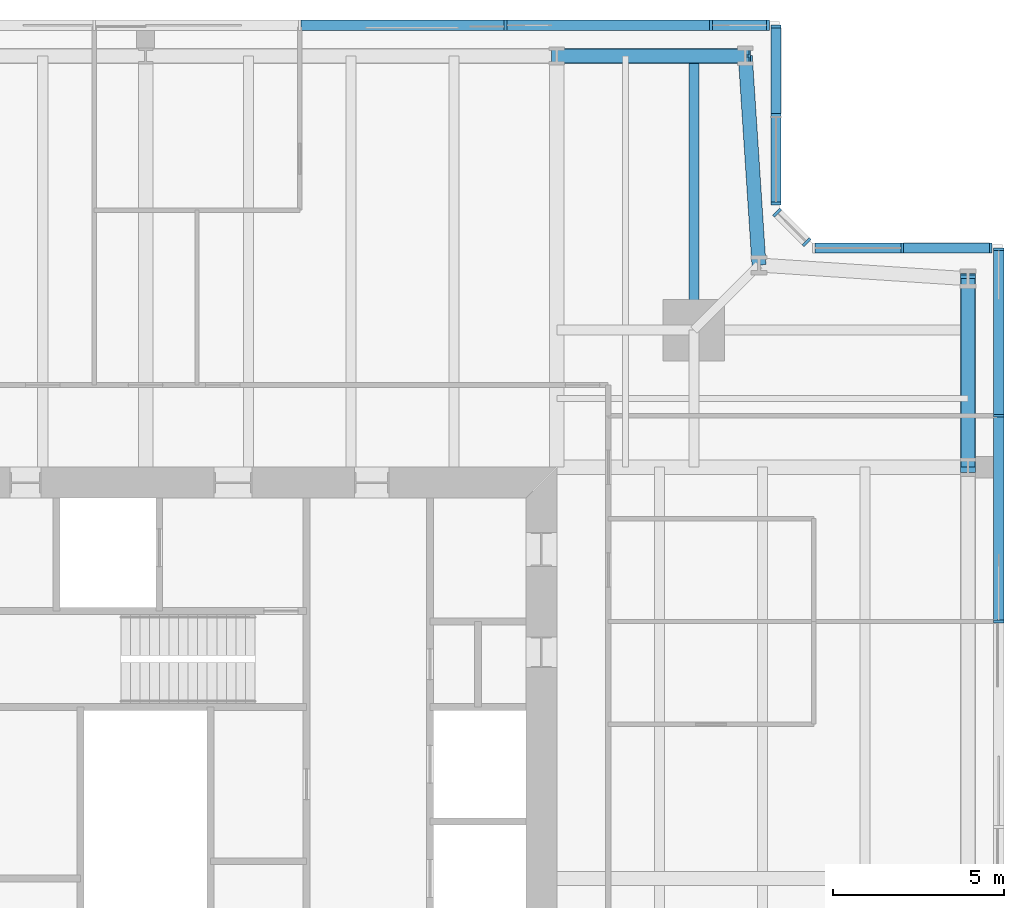
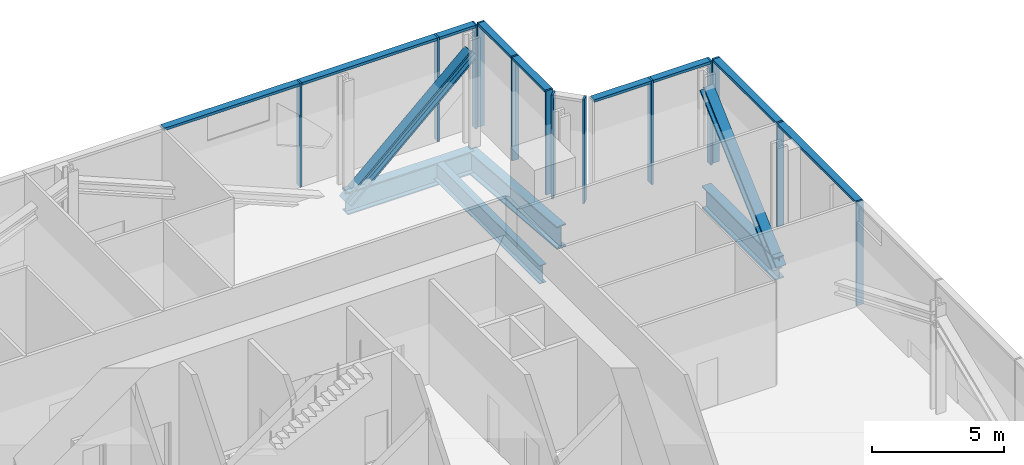
# One storey, part 5 of 15: 24 members, 4 beams, 5 elements without a shape of their own.
"""IFC4 building model written with IfcOpenShell, lengths in metres."""

from ifc_helpers import new_model, si_unit, direction, frame, origin, origin_2d, place, context, subcontext, project, spatial, rectangle, i_section, extrude, material, material_profile, profile_set, type_object, element, aggregate, save


model = new_model("IFC4")

# Units and contexts
model_context = context("Model", 3, precision=1e-05, world=origin(), true_north=direction((0.0, 1.0)))
body_context = subcontext(model_context, "Body", "Model", "MODEL_VIEW")
ifc_project = project(units=[si_unit("LENGTHUNIT", "METRE"), si_unit("AREAUNIT", "SQUARE_METRE"), si_unit("VOLUMEUNIT", "CUBIC_METRE"), si_unit("PLANEANGLEUNIT", "RADIAN"), si_unit("MASSUNIT", "GRAM", prefix="KILO")], contexts=[model_context])

# Site, building, storey
site_placement = place(None, origin())
site = spatial("IfcSite", under=ifc_project, at=site_placement, CompositionType="ELEMENT")
building_placement = place(site_placement, origin())
building = spatial("IfcBuilding", under=site, at=building_placement, Name="Fenwick Lantern Interchange", CompositionType="ELEMENT")
storey_placement = place(building_placement, frame((0.0, 0.0, 296.800048828125)))
storey = spatial("IfcBuildingStorey", under=building, at=storey_placement, Name="L72", CompositionType="ELEMENT", Elevation=296.800048828125)

# Beams
ifc_material_1 = material(Name="Steel ASTM A992 Grade 50", Category="steel")
ifc_material_profile_1 = material_profile(ifc_material_1, i_section(OverallWidth=0.408935546875, OverallDepth=1.04150390625, WebThickness=0.031005859375, FlangeThickness=0.055908203125, at=origin_2d()), Name="W40X397")
ifc_profile_set_1 = profile_set([ifc_material_profile_1], Name="Steel ASTM A992 Grade 50")
beam_type_1 = type_object("IfcBeamType", Name="EDGE BEAM W40X397", PredefinedType="SPANDREL", material=ifc_profile_set_1)
beam_1_placement = place(storey_placement, frame((49.0, 37.0, -0.720703125), z_axis=(0.0, 1.0, 0.0), x_axis=(-1.0, 0.0, 0.0)))
element("IfcBeam", 1, at=beam_1_placement, inside=storey, type_object=beam_type_1, Name="L72/FR/E/EB4", PredefinedType="SPANDREL", context=body_context, shape_type="SweptSolid", body=[
    extrude(i_section(OverallWidth=0.408935546875, OverallDepth=1.04150390625, WebThickness=0.031005859375, FlangeThickness=0.055908203125, at=origin_2d()), origin(), (0.0, 0.0, 1.0), 5.5),
])
beam_2_placement = place(storey_placement, frame((42.89990234375, 42.89990234375, -0.720703125), z_axis=(-0.065416293237, 0.997858060337, 0.0), x_axis=(-0.997858060337, -0.065416293237, 0.0)))
element("IfcBeam", 2, at=beam_2_placement, inside=storey, type_object=beam_type_1, Name="L72/FR/E/EBR2", PredefinedType="SPANDREL", context=body_context, shape_type="SweptSolid", body=[
    extrude(i_section(OverallWidth=0.408935546875, OverallDepth=1.04150390625, WebThickness=0.031005859375, FlangeThickness=0.055908203125, at=origin_2d()), origin(), (0.0, 0.0, 1.0), 6.11328125),
])
beam_3_placement = place(storey_placement, frame((42.5, 49.0, -0.720703125), z_axis=(-1.0, 0.0, 0.0), x_axis=(0.0, -1.0, 0.0)))
element("IfcBeam", 3, at=beam_3_placement, inside=storey, type_object=beam_type_1, Name="L72/FR/N/EB1", PredefinedType="SPANDREL", context=body_context, shape_type="SweptSolid", body=[
    extrude(i_section(OverallWidth=0.408935546875, OverallDepth=1.04150390625, WebThickness=0.031005859375, FlangeThickness=0.055908203125, at=origin_2d()), origin(), (0.0, 0.0, 1.0), 5.5),
])

# Members
ifc_material_profile_2 = material_profile(ifc_material_1, i_section(OverallWidth=0.424072265625, OverallDepth=0.47509765625, WebThickness=0.0478515625, FlangeThickness=0.0771484375, at=origin_2d()), Name="W14X426")
ifc_profile_set_2 = profile_set([ifc_material_profile_2], Name="Steel ASTM A992 Grade 50")
member_type_1 = type_object("IfcMemberType", Name="FACADE BRACE W14X426", PredefinedType="BRACE", material=ifc_profile_set_2)
for number, where, z_axis, x_axis, name in (
    (4, (49.0, 37.0, -0.720703125), (0.0, 0.739940073396, 0.672672793996), (-1.0, 0.0, 0.0), "L72/FB/E/BE"),
    (5, (37.0, 49.0, -0.720703125), (0.739940073396, 0.0, 0.672672793996), (0.0, 1.0, 0.0), "L72/FB/N/AE"),
):
    element("IfcMember", number, at=place(storey_placement, frame(where, z_axis=z_axis, x_axis=x_axis)), inside=storey, type_object=member_type_1, Name=name, PredefinedType="BRACE", context=body_context, shape_type="SweptSolid", body=[
        extrude(i_section(OverallWidth=0.424072265625, OverallDepth=0.47509765625, WebThickness=0.0478515625, FlangeThickness=0.0771484375, at=origin_2d()), origin(), (0.0, 0.0, 1.0), 7.43310546875),
    ])

# Beam
ifc_material_profile_3 = material_profile(ifc_material_1, i_section(OverallWidth=0.2919921875, OverallDepth=0.845703125, WebThickness=0.015380859375, FlangeThickness=0.0244140625, at=origin_2d()), Name="W33X141")
ifc_profile_set_3 = profile_set([ifc_material_profile_3], Name="Steel ASTM A992 Grade 50")
beam_type_2 = type_object("IfcBeamType", Name="MEGA COLUMN BEAM W33X141", PredefinedType="BEAM", material=ifc_profile_set_3)
beam_4_placement = place(storey_placement, frame((41.0, 41.0, -0.623046875), z_axis=(0.0, 1.0, 0.0), x_axis=(-1.0, 0.0, 0.0)))
element("IfcBeam", 6, at=beam_4_placement, inside=storey, type_object=beam_type_2, Name="L72/FR/N/MB1", PredefinedType="BEAM", context=body_context, shape_type="SweptSolid", body=[
    extrude(i_section(OverallWidth=0.2919921875, OverallDepth=0.845703125, WebThickness=0.015380859375, FlangeThickness=0.0244140625, at=origin_2d()), origin(), (0.0, 0.0, 1.0), 8.0),
])

# Curtain wall, members
ifc_material_2 = material(Name="Aluminium curtain wall frame", Category="aluminium")
curtain_wall_type = type_object("IfcCurtainWallType", Name="SKY LOBBY GLAZING", PredefinedType="USERDEFINED", material=ifc_material_2)
curtain_wall_1_placement = place(storey_placement, origin())
curtain_wall_1 = element("IfcCurtainWall", 7, at=curtain_wall_1_placement, inside=storey, type_object=curtain_wall_type, Name="Sky lobby glazing 05", ObjectType="SKY LOBBY GLAZING", PredefinedType="USERDEFINED")
ifc_material_3 = material(Name="Aluminium extrusion", Category="aluminium")
ifc_material_profile_4 = material_profile(ifc_material_3, rectangle(XDim=0.300048828125, YDim=0.080078125, at=origin_2d()), Name="SKY LOBBY GLAZING MULLION 80 X 300")
ifc_profile_set_4 = profile_set([ifc_material_profile_4], Name="Aluminium extrusion")
member_type_2 = type_object("IfcMemberType", Name="SKY LOBBY GLAZING MULLION 80 X 300", PredefinedType="MULLION", material=ifc_profile_set_4)
member_1_placement = place(storey_placement, frame((49.89990234375, 32.5, 0.0), z_axis=(0.0, 0.0, 1.0), x_axis=(-1.0, 0.0, 0.0)))
member_1 = element("IfcMember", 8, at=member_1_placement, type_object=member_type_2, Name="L72/CW/05/M05", PredefinedType="MULLION", context=body_context, shape_type="SweptSolid", body=[
    extrude(rectangle(XDim=0.300048828125, YDim=0.080078125, at=origin_2d()), origin(), (0.0, 0.0, 1.0), 4.800048828125),
])
member_2_placement = place(storey_placement, frame((49.89990234375, 38.5, 0.0), z_axis=(0.0, 0.0, 1.0), x_axis=(-1.0, 0.0, 0.0)))
member_2 = element("IfcMember", 9, at=member_2_placement, type_object=member_type_2, Name="L72/CW/05/M06", PredefinedType="MULLION", context=body_context, shape_type="SweptSolid", body=[
    extrude(rectangle(XDim=0.300048828125, YDim=0.080078125, at=origin_2d()), origin(), (0.0, 0.0, 1.0), 4.800048828125),
])
member_3_placement = place(storey_placement, frame((49.89990234375, 43.360107421875, 0.0), z_axis=(0.0, 0.0, 1.0), x_axis=(-1.0, 0.0, 0.0)))
member_3 = element("IfcMember", 10, at=member_3_placement, type_object=member_type_2, Name="L72/CW/05/M07", PredefinedType="MULLION", context=body_context, shape_type="SweptSolid", body=[
    extrude(rectangle(XDim=0.300048828125, YDim=0.080078125, at=origin_2d()), origin(), (0.0, 0.0, 1.0), 4.800048828125),
])

curtain_wall_2_placement = place(storey_placement, origin())
curtain_wall_2 = element("IfcCurtainWall", 11, at=curtain_wall_2_placement, inside=storey, type_object=curtain_wall_type, Name="Sky lobby glazing 06", ObjectType="SKY LOBBY GLAZING", PredefinedType="USERDEFINED")
member_4_placement = place(storey_placement, frame((49.659912109375, 43.39990234375, 0.0), z_axis=(0.0, 0.0, 1.0), x_axis=(0.0, -1.0, 0.0)))
member_4 = element("IfcMember", 12, at=member_4_placement, type_object=member_type_2, Name="L72/CW/06/M00", PredefinedType="MULLION", context=body_context, shape_type="SweptSolid", body=[
    extrude(rectangle(XDim=0.300048828125, YDim=0.080078125, at=origin_2d()), origin(), (0.0, 0.0, 1.0), 4.800048828125),
])
member_5_placement = place(storey_placement, frame((47.079345703125, 43.39990234375, 0.0), z_axis=(0.0, 0.0, 1.0), x_axis=(0.0, -1.0, 0.0)))
member_5 = element("IfcMember", 13, at=member_5_placement, type_object=member_type_2, Name="L72/CW/06/M01", PredefinedType="MULLION", context=body_context, shape_type="SweptSolid", body=[
    extrude(rectangle(XDim=0.300048828125, YDim=0.080078125, at=origin_2d()), origin(), (0.0, 0.0, 1.0), 4.800048828125),
])

curtain_wall_3_placement = place(storey_placement, origin())
curtain_wall_3 = element("IfcCurtainWall", 14, at=curtain_wall_3_placement, inside=storey, type_object=curtain_wall_type, Name="Sky lobby glazing 07", ObjectType="SKY LOBBY GLAZING", PredefinedType="USERDEFINED")
member_6_placement = place(storey_placement, frame((44.288818359375, 43.56982421875, 0.0), z_axis=(0.0, 0.0, 1.0), x_axis=(-0.707106781187, -0.707106781187, 0.0)))
member_6 = element("IfcMember", 15, at=member_6_placement, type_object=member_type_2, Name="L72/CW/07/M00", PredefinedType="MULLION", context=body_context, shape_type="SweptSolid", body=[
    extrude(rectangle(XDim=0.300048828125, YDim=0.080078125, at=origin_2d()), origin(), (0.0, 0.0, 1.0), 4.800048828125),
])
member_7_placement = place(storey_placement, frame((43.42822265625, 44.43017578125, 0.0), z_axis=(0.0, 0.0, 1.0), x_axis=(-0.707106781187, -0.707106781187, 0.0)))
member_7 = element("IfcMember", 16, at=member_7_placement, type_object=member_type_2, Name="L72/CW/07/M01", PredefinedType="MULLION", context=body_context, shape_type="SweptSolid", body=[
    extrude(rectangle(XDim=0.300048828125, YDim=0.080078125, at=origin_2d()), origin(), (0.0, 0.0, 1.0), 4.800048828125),
])
aggregate(curtain_wall_3, [member_6, member_7])

curtain_wall_4_placement = place(storey_placement, origin())
curtain_wall_4 = element("IfcCurtainWall", 17, at=curtain_wall_4_placement, inside=storey, type_object=curtain_wall_type, Name="Sky lobby glazing 08", ObjectType="SKY LOBBY GLAZING", PredefinedType="USERDEFINED")
member_8_placement = place(storey_placement, frame((43.39990234375, 44.698486328125, 0.0), z_axis=(0.0, 0.0, 1.0), x_axis=(-1.0, 0.0, 0.0)))
member_8 = element("IfcMember", 18, at=member_8_placement, type_object=member_type_2, Name="L72/CW/08/M00", PredefinedType="MULLION", context=body_context, shape_type="SweptSolid", body=[
    extrude(rectangle(XDim=0.300048828125, YDim=0.080078125, at=origin_2d()), origin(), (0.0, 0.0, 1.0), 4.800048828125),
])
member_9_placement = place(storey_placement, frame((43.39990234375, 47.279296875, 0.0), z_axis=(0.0, 0.0, 1.0), x_axis=(-1.0, 0.0, 0.0)))
member_9 = element("IfcMember", 19, at=member_9_placement, type_object=member_type_2, Name="L72/CW/08/M01", PredefinedType="MULLION", context=body_context, shape_type="SweptSolid", body=[
    extrude(rectangle(XDim=0.300048828125, YDim=0.080078125, at=origin_2d()), origin(), (0.0, 0.0, 1.0), 4.800048828125),
])
member_10_placement = place(storey_placement, frame((43.39990234375, 49.860107421875, 0.0), z_axis=(0.0, 0.0, 1.0), x_axis=(-1.0, 0.0, 0.0)))
member_10 = element("IfcMember", 20, at=member_10_placement, type_object=member_type_2, Name="L72/CW/08/M02", PredefinedType="MULLION", context=body_context, shape_type="SweptSolid", body=[
    extrude(rectangle(XDim=0.300048828125, YDim=0.080078125, at=origin_2d()), origin(), (0.0, 0.0, 1.0), 4.800048828125),
])

curtain_wall_5_placement = place(storey_placement, origin())
curtain_wall_5 = element("IfcCurtainWall", 21, at=curtain_wall_5_placement, inside=storey, type_object=curtain_wall_type, Name="Sky lobby glazing 09", ObjectType="SKY LOBBY GLAZING", PredefinedType="USERDEFINED")
member_11_placement = place(storey_placement, frame((43.159912109375, 49.89990234375, 0.0), z_axis=(0.0, 0.0, 1.0), x_axis=(0.0, -1.0, 0.0)))
member_11 = element("IfcMember", 22, at=member_11_placement, type_object=member_type_2, Name="L72/CW/09/M00", PredefinedType="MULLION", context=body_context, shape_type="SweptSolid", body=[
    extrude(rectangle(XDim=0.300048828125, YDim=0.080078125, at=origin_2d()), origin(), (0.0, 0.0, 1.0), 4.800048828125),
])
member_12_placement = place(storey_placement, frame((41.5, 49.89990234375, 0.0), z_axis=(0.0, 0.0, 1.0), x_axis=(0.0, -1.0, 0.0)))
member_12 = element("IfcMember", 23, at=member_12_placement, type_object=member_type_2, Name="L72/CW/09/M01", PredefinedType="MULLION", context=body_context, shape_type="SweptSolid", body=[
    extrude(rectangle(XDim=0.300048828125, YDim=0.080078125, at=origin_2d()), origin(), (0.0, 0.0, 1.0), 4.800048828125),
])
member_13_placement = place(storey_placement, frame((35.5, 49.89990234375, 0.0), z_axis=(0.0, 0.0, 1.0), x_axis=(0.0, -1.0, 0.0)))
member_13 = element("IfcMember", 24, at=member_13_placement, type_object=member_type_2, Name="L72/CW/09/M02", PredefinedType="MULLION", context=body_context, shape_type="SweptSolid", body=[
    extrude(rectangle(XDim=0.300048828125, YDim=0.080078125, at=origin_2d()), origin(), (0.0, 0.0, 1.0), 4.800048828125),
])

# Member
ifc_material_profile_5 = material_profile(ifc_material_3, rectangle(XDim=0.300048828125, YDim=0.1201171875, at=origin_2d()), Name="SKY LOBBY GLAZING TRANSOM 120 X 300")
ifc_profile_set_5 = profile_set([ifc_material_profile_5], Name="Aluminium extrusion")
member_type_3 = type_object("IfcMemberType", Name="SKY LOBBY GLAZING TRANSOM 120 X 300", PredefinedType="MULLION", material=ifc_profile_set_5)
member_14_placement = place(storey_placement, frame((49.89990234375, 32.5400390625, 4.739990234375), z_axis=(0.0, 1.0, 0.0), x_axis=(-1.0, 0.0, 0.0)))
member_14 = element("IfcMember", 25, at=member_14_placement, type_object=member_type_3, Name="L72/CW/05/T05", PredefinedType="MULLION", context=body_context, shape_type="SweptSolid", body=[
    extrude(rectangle(XDim=0.300048828125, YDim=0.1201171875, at=origin_2d()), origin(), (0.0, 0.0, 1.0), 5.919921875),
])

member_15_placement = place(storey_placement, frame((49.89990234375, 38.5400390625, 4.739990234375), z_axis=(0.0, 1.0, 0.0), x_axis=(-1.0, 0.0, 0.0)))
member_15 = element("IfcMember", 26, at=member_15_placement, type_object=member_type_3, Name="L72/CW/05/T06", PredefinedType="MULLION", context=body_context, shape_type="SweptSolid", body=[
    extrude(rectangle(XDim=0.300048828125, YDim=0.1201171875, at=origin_2d()), origin(), (0.0, 0.0, 1.0), 4.780029296875),
])

aggregate(curtain_wall_1, [member_1, member_2, member_3, member_14, member_15])

member_16_placement = place(storey_placement, frame((49.6201171875, 43.39990234375, 4.739990234375), z_axis=(-1.0, 0.0, 0.0), x_axis=(0.0, -1.0, 0.0)))
member_16 = element("IfcMember", 27, at=member_16_placement, type_object=member_type_3, Name="L72/CW/06/T00", PredefinedType="MULLION", context=body_context, shape_type="SweptSolid", body=[
    extrude(rectangle(XDim=0.300048828125, YDim=0.1201171875, at=origin_2d()), origin(), (0.0, 0.0, 1.0), 2.500732421875),
])

member_17_placement = place(storey_placement, frame((47.039306640625, 43.39990234375, 4.739990234375), z_axis=(-1.0, 0.0, 0.0), x_axis=(0.0, -1.0, 0.0)))
member_17 = element("IfcMember", 28, at=member_17_placement, type_object=member_type_3, Name="L72/CW/06/T01", PredefinedType="MULLION", context=body_context, shape_type="SweptSolid", body=[
    extrude(rectangle(XDim=0.300048828125, YDim=0.1201171875, at=origin_2d()), origin(), (0.0, 0.0, 1.0), 2.500732421875),
])

aggregate(curtain_wall_2, [member_4, member_5, member_16, member_17])

member_18_placement = place(storey_placement, frame((43.39990234375, 44.738525390625, 4.739990234375), z_axis=(0.0, 1.0, 0.0), x_axis=(-1.0, 0.0, 0.0)))
member_18 = element("IfcMember", 29, at=member_18_placement, type_object=member_type_3, Name="L72/CW/08/T00", PredefinedType="MULLION", context=body_context, shape_type="SweptSolid", body=[
    extrude(rectangle(XDim=0.300048828125, YDim=0.1201171875, at=origin_2d()), origin(), (0.0, 0.0, 1.0), 2.500732421875),
])

member_19_placement = place(storey_placement, frame((43.39990234375, 47.3193359375, 4.739990234375), z_axis=(0.0, 1.0, 0.0), x_axis=(-1.0, 0.0, 0.0)))
member_19 = element("IfcMember", 30, at=member_19_placement, type_object=member_type_3, Name="L72/CW/08/T01", PredefinedType="MULLION", context=body_context, shape_type="SweptSolid", body=[
    extrude(rectangle(XDim=0.300048828125, YDim=0.1201171875, at=origin_2d()), origin(), (0.0, 0.0, 1.0), 2.500732421875),
])

aggregate(curtain_wall_4, [member_8, member_9, member_10, member_18, member_19])

member_20_placement = place(storey_placement, frame((43.1201171875, 49.89990234375, 4.739990234375), z_axis=(-1.0, 0.0, 0.0), x_axis=(0.0, -1.0, 0.0)))
member_20 = element("IfcMember", 31, at=member_20_placement, type_object=member_type_3, Name="L72/CW/09/T00", PredefinedType="MULLION", context=body_context, shape_type="SweptSolid", body=[
    extrude(rectangle(XDim=0.300048828125, YDim=0.1201171875, at=origin_2d()), origin(), (0.0, 0.0, 1.0), 1.580078125),
])

member_21_placement = place(storey_placement, frame((41.4599609375, 49.89990234375, 4.739990234375), z_axis=(-1.0, 0.0, 0.0), x_axis=(0.0, -1.0, 0.0)))
member_21 = element("IfcMember", 32, at=member_21_placement, type_object=member_type_3, Name="L72/CW/09/T01", PredefinedType="MULLION", context=body_context, shape_type="SweptSolid", body=[
    extrude(rectangle(XDim=0.300048828125, YDim=0.1201171875, at=origin_2d()), origin(), (0.0, 0.0, 1.0), 5.919921875),
])

member_22_placement = place(storey_placement, frame((35.4599609375, 49.89990234375, 4.739990234375), z_axis=(-1.0, 0.0, 0.0), x_axis=(0.0, -1.0, 0.0)))
member_22 = element("IfcMember", 33, at=member_22_placement, type_object=member_type_3, Name="L72/CW/09/T02", PredefinedType="MULLION", context=body_context, shape_type="SweptSolid", body=[
    extrude(rectangle(XDim=0.300048828125, YDim=0.1201171875, at=origin_2d()), origin(), (0.0, 0.0, 1.0), 5.919921875),
])

aggregate(curtain_wall_5, [member_11, member_12, member_13, member_20, member_21, member_22])

save(model, "model.ifc")
